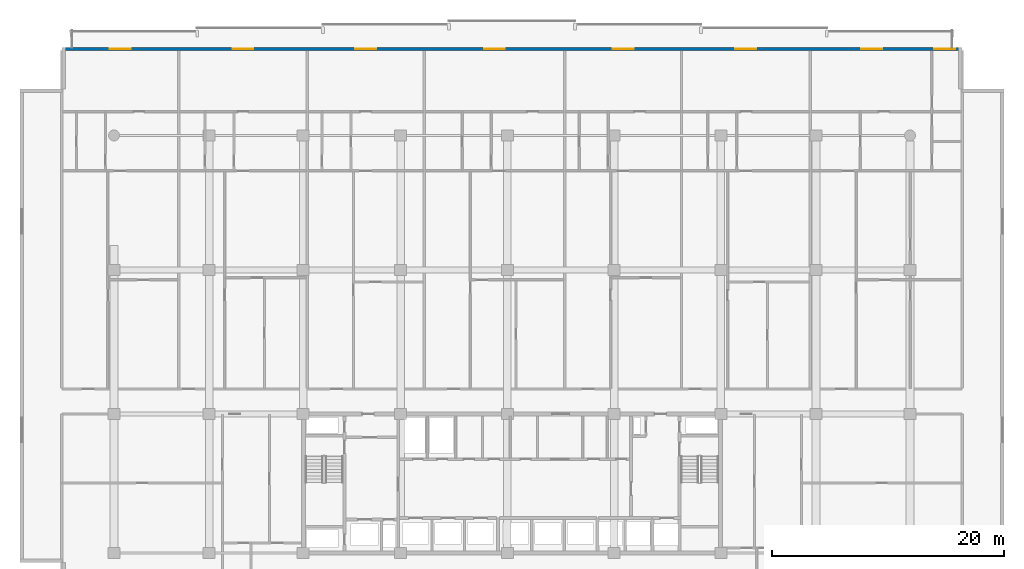
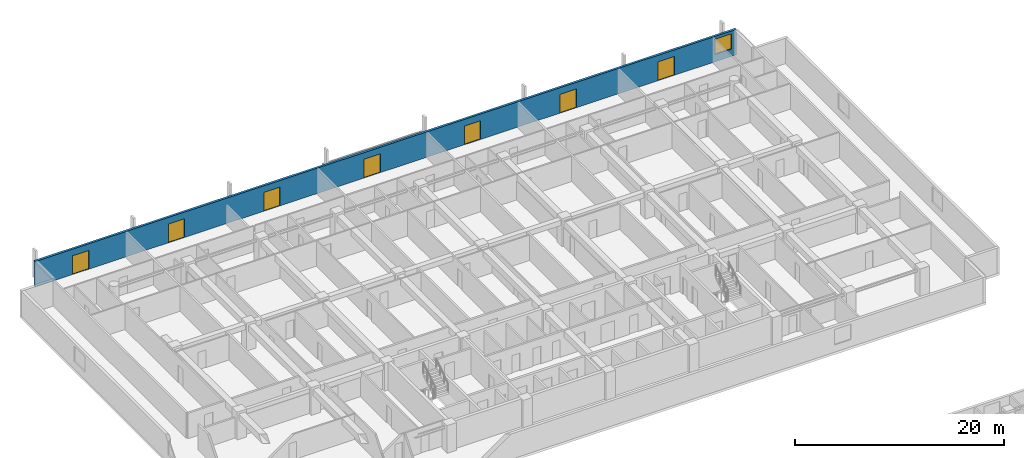
# One storey, part 16 of 23: 7 doors, 1 wall, 1 window, 8 openings.
"""IFC4 building model written with IfcOpenShell, lengths in metres."""

import ifcopenshell
import ifcopenshell.guid

model = None  # the IFC model being written
_history = None  # IfcOwnerHistory: only IFC2X3 demands one
_inside = {}  # id of a spatial element -> (the spatial element, [elements in it])
_under = {}  # id of a project, library or spatial element -> (it, [spatial elements below it])
_declared = {}  # id of a project -> (the project, [libraries it declares])
_typed = {}  # id of a type object -> (the type object, [elements of that type])
_made_of = {}  # id of a material, layer set ... -> (it, [elements and type objects made of it])


def new_model(schema):
    """Start an empty IFC model of exactly this schema.

    Asked for "IFC4X3", IfcOpenShell would pick the latest addendum, in which some entities
    have other attributes; the version numbers below select the first issue.
    IFC2X3 requires an IfcOwnerHistory on every rooted entity: one is made here for all.
    """
    global model, _history
    if schema == "IFC4X3":
        model = ifcopenshell.file(schema_version=(4, 3, 0, 0))
    else:
        model = ifcopenshell.file(schema=schema)
    _inside.clear()
    _under.clear()
    _declared.clear()
    _typed.clear()
    _made_of.clear()
    _history = None
    if model.schema == "IFC2X3":
        org = make("IfcOrganization", Name="unknown")
        user = make(
            "IfcPersonAndOrganization",
            ThePerson=make("IfcPerson", FamilyName="unknown"),
            TheOrganization=org,
        )
        app = make(
            "IfcApplication",
            ApplicationDeveloper=org,
            Version="unknown",
            ApplicationFullName="unknown",
            ApplicationIdentifier="unknown",
        )
        _history = make(
            "IfcOwnerHistory",
            OwningUser=user,
            OwningApplication=app,
            ChangeAction="ADDED",
            CreationDate=0,
        )
    return model


def make(cls, **values):
    """One entity of the class cls with the attributes given. An attribute that is None is left unset."""
    return model.create_entity(
        cls, **{name: value for name, value in values.items() if value is not None}
    )


def rooted(cls, **values):
    """An entity with a GlobalId (a new one), such as an element, a storey or a relation."""
    return make(cls, GlobalId=ifcopenshell.guid.new(), OwnerHistory=_history, **values)


def si_unit(unit_type, name, prefix=None):
    """IfcSIUnit, for example si_unit("LENGTHUNIT", "METRE", prefix="MILLI")."""
    return make("IfcSIUnit", UnitType=unit_type, Prefix=prefix, Name=name)


def assignment(units):
    """IfcUnitAssignment: the units of a project."""
    return None if units is None else make("IfcUnitAssignment", Units=units)


def point(xyz):
    """IfcCartesianPoint."""
    return None if xyz is None else make("IfcCartesianPoint", Coordinates=xyz)


def direction(xyz):
    """IfcDirection."""
    return None if xyz is None else make("IfcDirection", DirectionRatios=xyz)


def frame(location, z_axis=None, x_axis=None):
    """IfcAxis2Placement3D, a coordinate frame: its origin and axes. An axis left out is left unset."""
    return make(
        "IfcAxis2Placement3D",
        Location=point(location),
        Axis=direction(z_axis),
        RefDirection=direction(x_axis),
    )


def frame_2d(location, x_axis=None):
    """IfcAxis2Placement2D, a coordinate frame in the plane: its origin and x axis."""
    return make(
        "IfcAxis2Placement2D", Location=point(location), RefDirection=direction(x_axis)
    )


def origin():
    """The frame at (0, 0, 0) with its axes left unset."""
    return frame((0.0, 0.0, 0.0))


def place(relative_to, where):
    """IfcLocalPlacement: puts the frame where relative to a parent placement (None: the world)."""
    return make(
        "IfcLocalPlacement", PlacementRelTo=relative_to, RelativePlacement=where
    )


def context(
    kind, dimensions, precision=None, world=None, true_north=None, identifier=None
):
    """IfcGeometricRepresentationContext, for example the 3D "Model" context."""
    return make(
        "IfcGeometricRepresentationContext",
        ContextIdentifier=identifier,
        ContextType=kind,
        CoordinateSpaceDimension=dimensions,
        Precision=precision,
        WorldCoordinateSystem=world,
        TrueNorth=true_north,
    )


def subcontext(parent, identifier, kind, view, scale=None):
    """IfcGeometricRepresentationSubContext, for example "Body" below "Model"."""
    return make(
        "IfcGeometricRepresentationSubContext",
        ContextIdentifier=identifier,
        ContextType=kind,
        ParentContext=parent,
        TargetScale=scale,
        TargetView=view,
    )


def project(units=None, contexts=None):
    """IfcProject with its units and contexts."""
    return rooted(
        "IfcProject",
        Name="project",
        RepresentationContexts=contexts,
        UnitsInContext=assignment(units),
    )


def spatial(cls, under=None, at=None, **own):
    """A site, building, storey or space (cls), placed at a placement, below another one or the project."""
    s = rooted(cls, ObjectPlacement=at, **own)
    if under is not None:
        _under.setdefault(under.id(), (under, []))[1].append(s)
    return s


def profile(cls, at=None, kind="AREA", **sizes):
    """A parametric profile (cls). Its sizes go by their IFC names, for example OverallWidth=200.0."""
    return make(cls, ProfileType=kind, Position=at, **sizes)


def rectangle(**sizes):
    """IfcRectangleProfileDef."""
    return profile("IfcRectangleProfileDef", **sizes)


def extrude(swept, where, along, depth):
    """IfcExtrudedAreaSolid: the profile swept, set in the frame where, extruded along a direction by depth."""
    return make(
        "IfcExtrudedAreaSolid",
        SweptArea=swept,
        Position=where,
        ExtrudedDirection=direction(along),
        Depth=depth,
    )


def shape(context_of_items, identifier, shape_type, items):
    """IfcShapeRepresentation: the items that make up one representation, for example the "Body"."""
    return make(
        "IfcShapeRepresentation",
        ContextOfItems=context_of_items,
        RepresentationIdentifier=identifier,
        RepresentationType=shape_type,
        Items=items,
    )


def material(Name=None, Category=None):
    """IfcMaterial."""
    return make("IfcMaterial", Name=Name, Category=Category)


def layer(
    of_material, thickness, ventilated=None, Name=None, Category=None, Priority=None
):
    """IfcMaterialLayer: one layer of a wall or slab, of a material (None: an air gap)."""
    return make(
        "IfcMaterialLayer",
        Material=of_material,
        LayerThickness=thickness,
        IsVentilated=ventilated,
        Name=Name,
        Category=Category,
        Priority=Priority,
    )


def layer_set(layers, Name=None):
    """IfcMaterialLayerSet."""
    return make("IfcMaterialLayerSet", MaterialLayers=layers, LayerSetName=Name)


def made_of(thing, what):
    """Note that an element or type object is made of a material, layer set ...; save() writes the relation."""
    if what is not None:
        _made_of.setdefault(what.id(), (what, []))[1].append(thing)
    return thing


def type_object(cls, material=None, **own):
    """A type object (cls), such as IfcWallType, which elements share."""
    return made_of(rooted(cls, **own), material)


def element(
    cls,
    number,
    at=None,
    inside=None,
    cuts=None,
    type_object=None,
    material=None,
    context=None,
    identifier="Body",
    shape_type=None,
    held_by="IfcProductDefinitionShape",
    body=None,
    shapes=None,
    **own,
):
    """One element of the class cls, such as IfcWall. Its Tag is "e" and its number.

    at: its placement. inside: the storey or other place that contains it. cuts: it is an
    opening in that element (IfcRelVoidsElement). A single representation is given by context,
    identifier, shape_type and body (its items); several are given by shapes. held_by: the class
    of the entity that holds the representations. save() writes the other relations.
    """
    e = rooted(cls, Tag="e%d" % number, ObjectPlacement=at, **own)
    if body is not None:
        shapes = [shape(context, identifier, shape_type, body)]
    if shapes is not None:
        e.Representation = make(held_by, Representations=shapes)
    if inside is not None:
        _inside.setdefault(inside.id(), (inside, []))[1].append(e)
    if cuts is not None:
        rooted(
            "IfcRelVoidsElement", RelatingBuildingElement=cuts, RelatedOpeningElement=e
        )
    if type_object is not None:
        _typed.setdefault(type_object.id(), (type_object, []))[1].append(e)
    return made_of(e, material)


def fill(opening, filler):
    """IfcRelFillsElement: the door or window that sits in an opening."""
    return rooted(
        "IfcRelFillsElement",
        RelatingOpeningElement=opening,
        RelatedBuildingElement=filler,
    )


def aggregate(whole, parts):
    """IfcRelAggregates: a whole, such as a stair, and the parts it consists of."""
    return rooted("IfcRelAggregates", RelatingObject=whole, RelatedObjects=parts)


def save(model, path):
    """Write the relations noted so far, then the file.

    IfcRelAggregates (storeys below a building ...), IfcRelContainedInSpatialStructure (elements
    in a storey), IfcRelDefinesByType, IfcRelAssociatesMaterial and IfcRelDeclares: one each for
    every whole, place, type object, material and project.
    """
    for whole, parts in _under.values():
        aggregate(whole, parts)
    for where, things in _inside.values():
        rooted(
            "IfcRelContainedInSpatialStructure",
            RelatedElements=things,
            RelatingStructure=where,
        )
    for kind, things in _typed.values():
        rooted("IfcRelDefinesByType", RelatedObjects=things, RelatingType=kind)
    for what, things in _made_of.values():
        rooted("IfcRelAssociatesMaterial", RelatedObjects=things, RelatingMaterial=what)
    for by, libraries in _declared.values():
        rooted("IfcRelDeclares", RelatingContext=by, RelatedDefinitions=libraries)
    model.write(path)


model = new_model("IFC4")

# Units and contexts
model_context = context("Model", 3, precision=1e-05, world=origin(), true_north=direction((0.0, 1.0)))
body_context = subcontext(model_context, "Body", "Model", "MODEL_VIEW")
ifc_project = project(units=[si_unit("LENGTHUNIT", "METRE"), si_unit("AREAUNIT", "SQUARE_METRE"), si_unit("VOLUMEUNIT", "CUBIC_METRE"), si_unit("PLANEANGLEUNIT", "RADIAN"), si_unit("MASSUNIT", "GRAM", prefix="KILO")], contexts=[model_context])

# Site, building, storey
site_placement = place(None, origin())
site = spatial("IfcSite", under=ifc_project, at=site_placement, CompositionType="ELEMENT")
building_placement = place(site_placement, origin())
building = spatial("IfcBuilding", under=site, at=building_placement, Name="Korimba Cascade Residences", CompositionType="ELEMENT")
storey_placement = place(building_placement, frame((0.0, 0.0, 30.5)))
storey = spatial("IfcBuildingStorey", under=building, at=storey_placement, Name="L07", CompositionType="ELEMENT", Elevation=30.5)

# Wall, openings, doors, window
ifc_material_1 = material(Name="Precast concrete C40/50", Category="concrete")
ifc_layer = layer(ifc_material_1, 0.25)
ifc_layer_set = layer_set([ifc_layer], Name="Precast concrete C40/50")
wall_type = type_object("IfcWallType", Name="EW-LOG-250", PredefinedType="STANDARD", material=ifc_layer_set)
wall_placement = place(storey_placement, frame((132.89990234375, 98.64990234375, 0.0), z_axis=(0.0, 0.0, 1.0), x_axis=(-1.0, 0.0, 0.0)))
wall = element("IfcWall", 1, at=wall_placement, inside=storey, type_object=wall_type, Name="L07 T1 Perimeter Stone Wall E06", PredefinedType="STANDARD", context=body_context, shape_type="SweptSolid", body=[
    extrude(rectangle(XDim=77.599853515625, YDim=0.25, at=frame_2d((38.7998046875, 0.0))), origin(), (0.0, 0.0, 1.0), 2.969970703125),
])
opening_1_placement = place(wall_placement, frame((71.660888671875, 0.0, 0.0)))
opening_1 = element("IfcOpeningElement", 2, at=opening_1_placement, cuts=wall, Name="Opening D-LG1", PredefinedType="OPENING", context=body_context, shape_type="SweptSolid", body=[
    extrude(rectangle(XDim=1.800048828125, YDim=2.199951171875, at=frame_2d((0.89990234375, 1.10009765625))), frame((0.0, 0.135009765625, 0.0), z_axis=(0.0, -1.0, 0.0), x_axis=(1.0, 0.0, 0.0)), (0.0, 0.0, 1.0), 0.27001953125),
])
opening_2_placement = place(wall_placement, frame((61.079345703125, 0.0, 0.0)))
opening_2 = element("IfcOpeningElement", 3, at=opening_2_placement, cuts=wall, Name="Opening D-LG1", PredefinedType="OPENING", context=body_context, shape_type="SweptSolid", body=[
    extrude(rectangle(XDim=1.800048828125, YDim=2.199951171875, at=frame_2d((0.89990234375, 1.10009765625))), frame((0.0, 0.135009765625, 0.0), z_axis=(0.0, -1.0, 0.0), x_axis=(1.0, 0.0, 0.0)), (0.0, 0.0, 1.0), 0.27001953125),
])
opening_3_placement = place(wall_placement, frame((50.49755859375, 0.0, 0.0)))
opening_3 = element("IfcOpeningElement", 4, at=opening_3_placement, cuts=wall, Name="Opening D-LG1", PredefinedType="OPENING", context=body_context, shape_type="SweptSolid", body=[
    extrude(rectangle(XDim=1.800048828125, YDim=2.199951171875, at=frame_2d((0.89990234375, 1.10009765625))), frame((0.0, 0.135009765625, 0.0), z_axis=(0.0, -1.0, 0.0), x_axis=(1.0, 0.0, 0.0)), (0.0, 0.0, 1.0), 0.27001953125),
])
opening_4_placement = place(wall_placement, frame((39.41162109375, 0.0, 0.0)))
opening_4 = element("IfcOpeningElement", 5, at=opening_4_placement, cuts=wall, Name="Opening D-LG1", PredefinedType="OPENING", context=body_context, shape_type="SweptSolid", body=[
    extrude(rectangle(XDim=1.800048828125, YDim=2.199951171875, at=frame_2d((0.89990234375, 1.10009765625))), frame((0.0, 0.135009765625, 0.0), z_axis=(0.0, -1.0, 0.0), x_axis=(1.0, 0.0, 0.0)), (0.0, 0.0, 1.0), 0.27001953125),
])
opening_5_placement = place(wall_placement, frame((28.326171875, 0.0, 0.0)))
opening_5 = element("IfcOpeningElement", 6, at=opening_5_placement, cuts=wall, Name="Opening D-LG1", PredefinedType="OPENING", context=body_context, shape_type="SweptSolid", body=[
    extrude(rectangle(XDim=1.800048828125, YDim=2.199951171875, at=frame_2d((0.89990234375, 1.10009765625))), frame((0.0, 0.135009765625, 0.0), z_axis=(0.0, -1.0, 0.0), x_axis=(1.0, 0.0, 0.0)), (0.0, 0.0, 1.0), 0.27001953125),
])
opening_6_placement = place(wall_placement, frame((17.744140625, 0.0, 0.0)))
opening_6 = element("IfcOpeningElement", 7, at=opening_6_placement, cuts=wall, Name="Opening D-LG1", PredefinedType="OPENING", context=body_context, shape_type="SweptSolid", body=[
    extrude(rectangle(XDim=1.800048828125, YDim=2.199951171875, at=frame_2d((0.89990234375, 1.10009765625))), frame((0.0, 0.135009765625, 0.0), z_axis=(0.0, -1.0, 0.0), x_axis=(1.0, 0.0, 0.0)), (0.0, 0.0, 1.0), 0.27001953125),
])
opening_7_placement = place(wall_placement, frame((6.900634765625, 0.0, 0.0)))
opening_7 = element("IfcOpeningElement", 8, at=opening_7_placement, cuts=wall, Name="Opening D-LG1", PredefinedType="OPENING", context=body_context, shape_type="SweptSolid", body=[
    extrude(rectangle(XDim=1.800048828125, YDim=2.199951171875, at=frame_2d((0.89990234375, 1.10009765625))), frame((0.0, 0.135009765625, 0.0), z_axis=(0.0, -1.0, 0.0), x_axis=(1.0, 0.0, 0.0)), (0.0, 0.0, 1.0), 0.27001953125),
])
opening_8_placement = place(wall_placement, frame((0.60009765625, 0.0, 0.85009765625)))
opening_8 = element("IfcOpeningElement", 9, at=opening_8_placement, cuts=wall, Name="Opening W-02", PredefinedType="OPENING", context=body_context, shape_type="SweptSolid", body=[
    extrude(rectangle(XDim=1.800048828125, YDim=1.800048828125, at=frame_2d((0.89990234375, 0.89990234375))), frame((0.0, 0.135009765625, 0.0), z_axis=(0.0, -1.0, 0.0), x_axis=(1.0, 0.0, 0.0)), (0.0, 0.0, 1.0), 0.27001953125),
])
ifc_material_2 = material(Name="Glazed Aluminium Loggia Sliding Door", Category="aluminium")
door_type = type_object("IfcDoorType", Name="DR-EXT-LOG", OperationType="NOTDEFINED", PredefinedType="DOOR", material=ifc_material_2)
door_1_placement = place(opening_1_placement, origin())
door_1 = element("IfcDoor", 10, at=door_1_placement, inside=storey, type_object=door_type, Name="L07 T1 Loggia Sliding Door 3", OperationType="SLIDING_TO_LEFT", OverallHeight=2.199951171875, OverallWidth=1.800048828125, PredefinedType="DOOR", context=body_context, shape_type="SweptSolid", body=[
    extrude(rectangle(XDim=1.800048828125, YDim=2.199951171875, at=frame_2d((0.89990234375, 1.10009765625))), frame((0.0, 0.02490234375, 0.0), z_axis=(0.0, -1.0, 0.0), x_axis=(1.0, 0.0, 0.0)), (0.0, 0.0, 1.0), 0.050048828125),
])
fill(opening_1, door_1)
door_2_placement = place(opening_2_placement, origin())
door_2 = element("IfcDoor", 11, at=door_2_placement, inside=storey, type_object=door_type, Name="L07 T1 Loggia Sliding Door 4", OperationType="SLIDING_TO_LEFT", OverallHeight=2.199951171875, OverallWidth=1.800048828125, PredefinedType="DOOR", context=body_context, shape_type="SweptSolid", body=[
    extrude(rectangle(XDim=1.800048828125, YDim=2.199951171875, at=frame_2d((0.89990234375, 1.10009765625))), frame((0.0, 0.02490234375, 0.0), z_axis=(0.0, -1.0, 0.0), x_axis=(1.0, 0.0, 0.0)), (0.0, 0.0, 1.0), 0.050048828125),
])
fill(opening_2, door_2)
door_3_placement = place(opening_3_placement, origin())
door_3 = element("IfcDoor", 12, at=door_3_placement, inside=storey, type_object=door_type, Name="L07 T1 Loggia Sliding Door 5", OperationType="SLIDING_TO_LEFT", OverallHeight=2.199951171875, OverallWidth=1.800048828125, PredefinedType="DOOR", context=body_context, shape_type="SweptSolid", body=[
    extrude(rectangle(XDim=1.800048828125, YDim=2.199951171875, at=frame_2d((0.89990234375, 1.10009765625))), frame((0.0, 0.02490234375, 0.0), z_axis=(0.0, -1.0, 0.0), x_axis=(1.0, 0.0, 0.0)), (0.0, 0.0, 1.0), 0.050048828125),
])
fill(opening_3, door_3)
door_4_placement = place(opening_4_placement, origin())
door_4 = element("IfcDoor", 13, at=door_4_placement, inside=storey, type_object=door_type, Name="L07 T1 Loggia Sliding Door 6", OperationType="SLIDING_TO_LEFT", OverallHeight=2.199951171875, OverallWidth=1.800048828125, PredefinedType="DOOR", context=body_context, shape_type="SweptSolid", body=[
    extrude(rectangle(XDim=1.800048828125, YDim=2.199951171875, at=frame_2d((0.89990234375, 1.10009765625))), frame((0.0, 0.02490234375, 0.0), z_axis=(0.0, -1.0, 0.0), x_axis=(1.0, 0.0, 0.0)), (0.0, 0.0, 1.0), 0.050048828125),
])
fill(opening_4, door_4)
door_5_placement = place(opening_5_placement, origin())
door_5 = element("IfcDoor", 14, at=door_5_placement, inside=storey, type_object=door_type, Name="L07 T1 Loggia Sliding Door 7", OperationType="SLIDING_TO_LEFT", OverallHeight=2.199951171875, OverallWidth=1.800048828125, PredefinedType="DOOR", context=body_context, shape_type="SweptSolid", body=[
    extrude(rectangle(XDim=1.800048828125, YDim=2.199951171875, at=frame_2d((0.89990234375, 1.10009765625))), frame((0.0, 0.02490234375, 0.0), z_axis=(0.0, -1.0, 0.0), x_axis=(1.0, 0.0, 0.0)), (0.0, 0.0, 1.0), 0.050048828125),
])
fill(opening_5, door_5)
door_6_placement = place(opening_6_placement, origin())
door_6 = element("IfcDoor", 15, at=door_6_placement, inside=storey, type_object=door_type, Name="L07 T1 Loggia Sliding Door 8", OperationType="SLIDING_TO_LEFT", OverallHeight=2.199951171875, OverallWidth=1.800048828125, PredefinedType="DOOR", context=body_context, shape_type="SweptSolid", body=[
    extrude(rectangle(XDim=1.800048828125, YDim=2.199951171875, at=frame_2d((0.89990234375, 1.10009765625))), frame((0.0, 0.02490234375, 0.0), z_axis=(0.0, -1.0, 0.0), x_axis=(1.0, 0.0, 0.0)), (0.0, 0.0, 1.0), 0.050048828125),
])
fill(opening_6, door_6)
door_7_placement = place(opening_7_placement, origin())
door_7 = element("IfcDoor", 16, at=door_7_placement, inside=storey, type_object=door_type, Name="L07 T1 Loggia Sliding Door 9", OperationType="SLIDING_TO_LEFT", OverallHeight=2.199951171875, OverallWidth=1.800048828125, PredefinedType="DOOR", context=body_context, shape_type="SweptSolid", body=[
    extrude(rectangle(XDim=1.800048828125, YDim=2.199951171875, at=frame_2d((0.89990234375, 1.10009765625))), frame((0.0, 0.02490234375, 0.0), z_axis=(0.0, -1.0, 0.0), x_axis=(1.0, 0.0, 0.0)), (0.0, 0.0, 1.0), 0.050048828125),
])
fill(opening_7, door_7)
ifc_material_3 = material(Name="Double-Glazed Aluminium Window", Category="aluminium")
window_type = type_object("IfcWindowType", Name="WIN-BED-1800", PartitioningType="SINGLE_PANEL", PredefinedType="WINDOW", material=ifc_material_3)
window_placement = place(opening_8_placement, origin())
window = element("IfcWindow", 17, at=window_placement, inside=storey, type_object=window_type, Name="L07 T1 North Facade Window 10", OverallHeight=1.800048828125, OverallWidth=1.800048828125, PartitioningType="SINGLE_PANEL", PredefinedType="WINDOW", context=body_context, shape_type="SweptSolid", body=[
    extrude(rectangle(XDim=1.800048828125, YDim=1.800048828125, at=frame_2d((0.89990234375, 0.89990234375))), frame((0.0, 0.030029296875, 0.0), z_axis=(0.0, -1.0, 0.0), x_axis=(1.0, 0.0, 0.0)), (0.0, 0.0, 1.0), 0.06005859375),
])
fill(opening_8, window)

save(model, "model.ifc")
